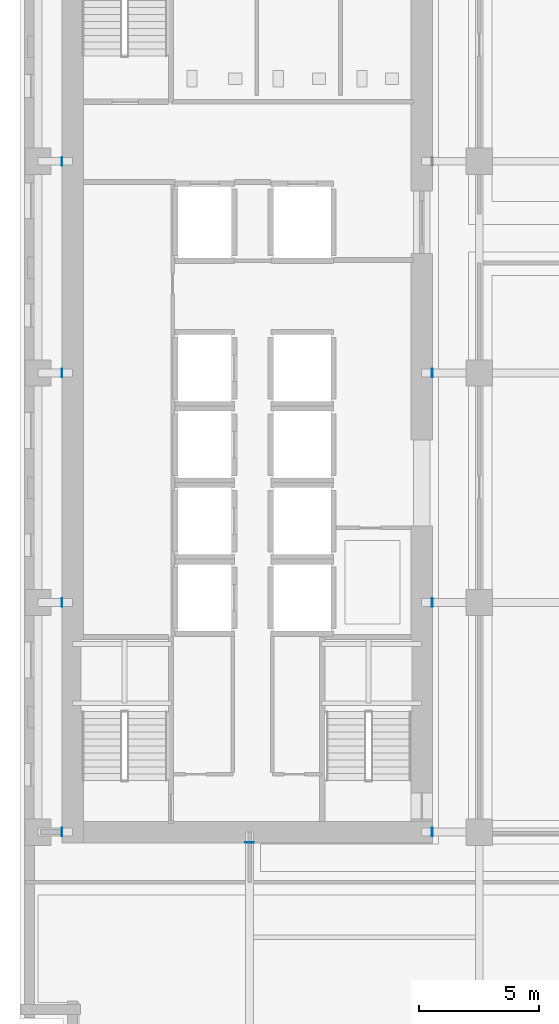
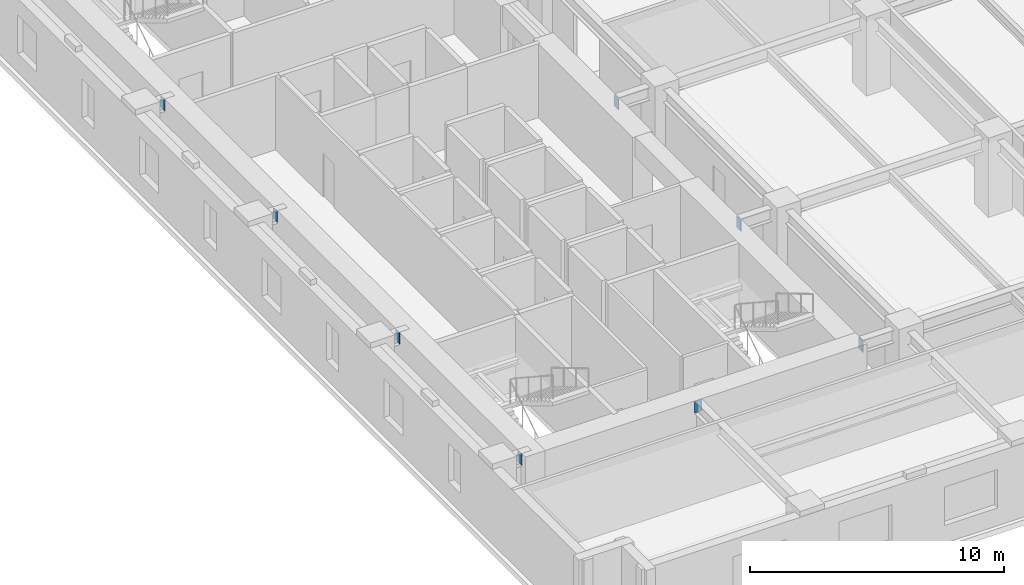
# One storey, part 9 of 15: 8 discrete accessories.
"""IFC4 building model written with IfcOpenShell, lengths in metres."""

from ifc_helpers import new_model, si_unit, direction, frame, origin, origin_2d, place, context, subcontext, project, spatial, rectangle, extrude, material, layer, layer_set, type_object, element, save


model = new_model("IFC4")

# Units and contexts
model_context = context("Model", 3, precision=1e-05, world=origin(), true_north=direction((0.0, 1.0)))
body_context = subcontext(model_context, "Body", "Model", "MODEL_VIEW")
ifc_project = project(units=[si_unit("LENGTHUNIT", "METRE"), si_unit("AREAUNIT", "SQUARE_METRE"), si_unit("VOLUMEUNIT", "CUBIC_METRE"), si_unit("PLANEANGLEUNIT", "RADIAN"), si_unit("MASSUNIT", "GRAM", prefix="KILO")], contexts=[model_context])

# Site, building, storey
site_placement = place(None, origin())
site = spatial("IfcSite", under=ifc_project, at=site_placement, CompositionType="ELEMENT")
building_placement = place(site_placement, origin())
building = spatial("IfcBuilding", under=site, at=building_placement, Name="Norrvale University Quadrangle", CompositionType="ELEMENT")
storey_placement = place(building_placement, frame((0.0, 0.0, 88.800048828125)))
storey = spatial("IfcBuildingStorey", under=building, at=storey_placement, Name="L22", CompositionType="ELEMENT", Elevation=88.800048828125)

# Discrete accessories
ifc_material = material(Name="Steel 350W", Category="steel")
ifc_layer = layer(ifc_material, 0.02490234375, Name="Steel 350W")
ifc_layer_set = layer_set([ifc_layer], Name="Steel 350W")
discrete_accessory_type = type_object("IfcDiscreteAccessoryType", Name="Accessory Cast In Embed Plate", PredefinedType="ANCHORPLATE", material=ifc_layer_set)
for number, where, z_axis, x_axis, name in (
    (1, (1.762451171875, 9.60009765625, 2.9599609375), (0.0, 0.0, 1.0), (1.0, 0.0, 0.0), "Core Wall Cast-in Embed Plate L22-GCW069"),
    (2, (17.237548828125, 9.60009765625, 2.9599609375), (0.0, 0.0, 1.0), (1.0, 0.0, 0.0), "Core Wall Cast-in Embed Plate L22-GCE070"),
    (3, (1.762451171875, 19.199951171875, 2.9599609375), (0.0, 0.0, 1.0), (1.0, 0.0, 0.0), "Core Wall Cast-in Embed Plate L22-GCW071"),
    (4, (17.237548828125, 19.199951171875, 2.9599609375), (0.0, 0.0, 1.0), (1.0, 0.0, 0.0), "Core Wall Cast-in Embed Plate L22-GCE072"),
    (5, (1.762451171875, 28.800048828125, 2.9599609375), (0.0, 0.0, 1.0), (1.0, 0.0, 0.0), "Core Wall Cast-in Embed Plate L22-GCW073"),
    (6, (17.237548828125, 28.800048828125, 2.9599609375), (0.0, 0.0, 1.0), (1.0, 0.0, 0.0), "Core Wall Cast-in Embed Plate L22-GCE074"),
    (7, (1.762451171875, 37.64990234375, 2.9599609375), (0.0, 0.0, 1.0), (1.0, 0.0, 0.0), "Core Wall Cast-in Embed Plate L22-GCW075"),
):
    element("IfcDiscreteAccessory", number, at=place(storey_placement, frame(where, z_axis=z_axis, x_axis=x_axis)), inside=storey, type_object=discrete_accessory_type, Name=name, PredefinedType="ANCHORPLATE", context=body_context, shape_type="SweptSolid", body=[
        extrude(rectangle(XDim=0.02490234375, YDim=0.35009765625, at=origin_2d()), origin(), (0.0, 0.0, 1.0), 0.5400390625),
    ])
discrete_accessory_placement = place(storey_placement, frame((9.60009765625, 9.16259765625, 2.9599609375), z_axis=(0.0, 0.0, 1.0), x_axis=(1.0, 0.0, 0.0)))
element("IfcDiscreteAccessory", 8, at=discrete_accessory_placement, inside=storey, type_object=discrete_accessory_type, Name="Core Wall Cast-in Embed Plate L22-GCS102", PredefinedType="ANCHORPLATE", context=body_context, shape_type="SweptSolid", body=[
    extrude(rectangle(XDim=0.35009765625, YDim=0.02490234375, at=origin_2d()), origin(), (0.0, 0.0, 1.0), 0.5400390625),
])

save(model, "model.ifc")
